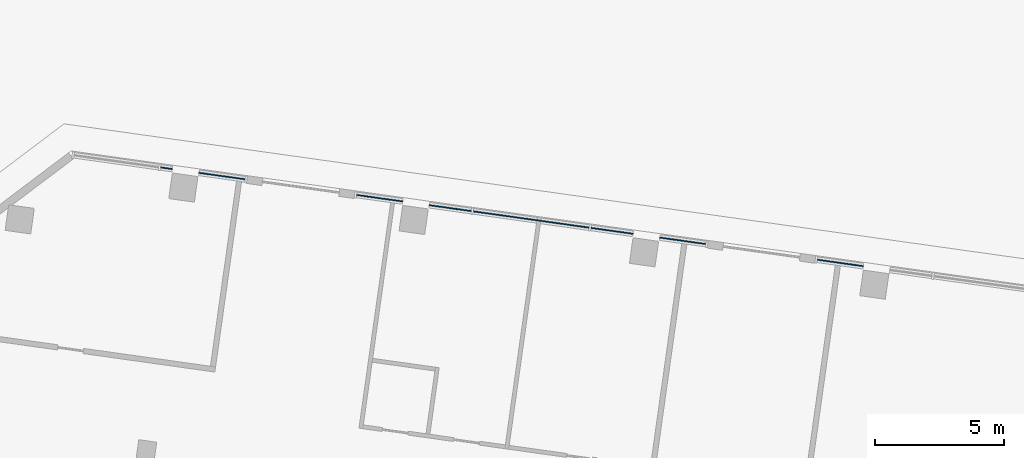
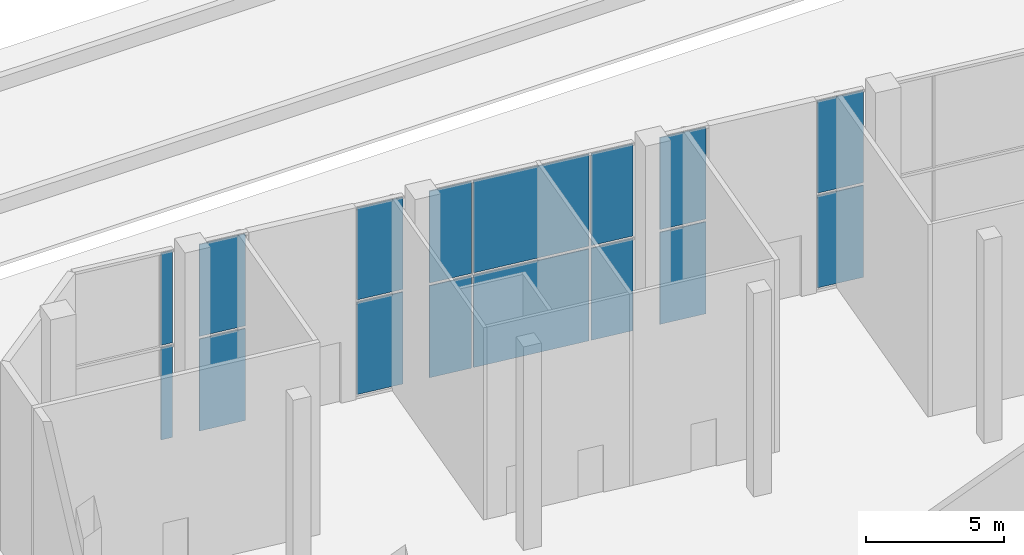
# One storey, part 9 of 34: 16 plates, 3 elements without a shape of their own.
"""IFC4 building model written with IfcOpenShell, lengths in metres."""

from ifc_helpers import new_model, si_unit, direction, frame, origin, origin_2d, place, context, subcontext, project, spatial, rectangle, extrude, material, layer, layer_set, type_object, element, aggregate, save


model = new_model("IFC4")

# Units and contexts
model_context = context("Model", 3, precision=1e-05, world=origin(), true_north=direction((0.0, 1.0)))
body_context = subcontext(model_context, "Body", "Model", "MODEL_VIEW")
ifc_project = project(units=[si_unit("LENGTHUNIT", "METRE"), si_unit("AREAUNIT", "SQUARE_METRE"), si_unit("VOLUMEUNIT", "CUBIC_METRE"), si_unit("PLANEANGLEUNIT", "RADIAN"), si_unit("MASSUNIT", "GRAM", prefix="KILO")], contexts=[model_context])

# Site, building, storey
site_placement = place(None, origin())
site = spatial("IfcSite", under=ifc_project, at=site_placement, CompositionType="ELEMENT")
building_placement = place(site_placement, origin())
building = spatial("IfcBuilding", under=site, at=building_placement, Name="Mirante Cascada Hotel Towers", CompositionType="ELEMENT")
storey_placement = place(building_placement, origin())
storey = spatial("IfcBuildingStorey", under=building, at=storey_placement, Name="L00", CompositionType="ELEMENT", Elevation=0.0)

# Curtain wall, plates
ifc_material_1 = material(Name="Aluminium mullion and transom frame with clear laminated glass", Category="aluminium")
curtain_wall_type = type_object("IfcCurtainWallType", Name="Podium curtain wall ECW3", PredefinedType="NOTDEFINED", material=ifc_material_1)
curtain_wall_1_placement = place(storey_placement, origin())
curtain_wall_1 = element("IfcCurtainWall", 1, at=curtain_wall_1_placement, inside=storey, type_object=curtain_wall_type, Name="Podium curtain wall L00 run front.1", PredefinedType="NOTDEFINED")
ifc_material_2 = material(Name="Clear laminated glass", Category="glass")
ifc_layer = layer(ifc_material_2, 0.04)
ifc_layer_set = layer_set([ifc_layer], Name="ECW3 glass panel 40")
plate_type = type_object("IfcPlateType", Name="ECW3 glass panel 40", PredefinedType="CURTAIN_PANEL", material=ifc_layer_set)
plate_1_placement = place(storey_placement, frame((-90.5056, 25.5388, 0.12), z_axis=(0.0, 0.0, 1.0), x_axis=(0.9902681, -0.1391731, 0.0)))
plate_1 = element("IfcPlate", 2, at=plate_1_placement, type_object=plate_type, Name="ECW3 panel 2", PredefinedType="CURTAIN_PANEL", context=body_context, shape_type="SweptSolid", body=[
    extrude(rectangle(XDim=0.4589, YDim=0.04, at=origin_2d()), origin(), (0.0, 0.0, 1.0), 4.07),
])
plate_2_placement = place(storey_placement, frame((-90.5056, 25.5388, 4.31), z_axis=(0.0, 0.0, 1.0), x_axis=(0.9902681, -0.1391731, 0.0)))
plate_2 = element("IfcPlate", 3, at=plate_2_placement, type_object=plate_type, Name="ECW3 panel 2", PredefinedType="CURTAIN_PANEL", context=body_context, shape_type="SweptSolid", body=[
    extrude(rectangle(XDim=0.4589, YDim=0.04, at=origin_2d()), origin(), (0.0, 0.0, 1.0), 4.07),
])
plate_3_placement = place(storey_placement, frame((-88.3573, 25.2368, 0.12), z_axis=(0.0, 0.0, 1.0), x_axis=(0.9902681, -0.1391731, 0.0)))
plate_3 = element("IfcPlate", 4, at=plate_3_placement, type_object=plate_type, Name="ECW3 panel 2", PredefinedType="CURTAIN_PANEL", context=body_context, shape_type="SweptSolid", body=[
    extrude(rectangle(XDim=1.8, YDim=0.04, at=origin_2d()), origin(), (0.0, 0.0, 1.0), 4.07),
])
plate_4_placement = place(storey_placement, frame((-88.3573, 25.2368, 4.31), z_axis=(0.0, 0.0, 1.0), x_axis=(0.9902681, -0.1391731, 0.0)))
plate_4 = element("IfcPlate", 5, at=plate_4_placement, type_object=plate_type, Name="ECW3 panel 2", PredefinedType="CURTAIN_PANEL", context=body_context, shape_type="SweptSolid", body=[
    extrude(rectangle(XDim=1.8, YDim=0.04, at=origin_2d()), origin(), (0.0, 0.0, 1.0), 4.07),
])
aggregate(curtain_wall_1, [plate_1, plate_2, plate_3, plate_4])

curtain_wall_2_placement = place(storey_placement, origin())
curtain_wall_2 = element("IfcCurtainWall", 6, at=curtain_wall_2_placement, inside=storey, type_object=curtain_wall_type, Name="Podium curtain wall L00 run front.3", PredefinedType="NOTDEFINED")
plate_5_placement = place(storey_placement, frame((-82.2572, 24.3795, 0.12), z_axis=(0.0, 0.0, 1.0), x_axis=(0.9902681, -0.1391731, 0.0)))
plate_5 = element("IfcPlate", 7, at=plate_5_placement, type_object=plate_type, Name="ECW3 panel 1", PredefinedType="CURTAIN_PANEL", context=body_context, shape_type="SweptSolid", body=[
    extrude(rectangle(XDim=1.8, YDim=0.04, at=origin_2d()), origin(), (0.0, 0.0, 1.0), 4.07),
])
plate_6_placement = place(storey_placement, frame((-82.2572, 24.3795, 4.31), z_axis=(0.0, 0.0, 1.0), x_axis=(0.9902681, -0.1391731, 0.0)))
plate_6 = element("IfcPlate", 8, at=plate_6_placement, type_object=plate_type, Name="ECW3 panel 1", PredefinedType="CURTAIN_PANEL", context=body_context, shape_type="SweptSolid", body=[
    extrude(rectangle(XDim=1.8, YDim=0.04, at=origin_2d()), origin(), (0.0, 0.0, 1.0), 4.07),
])
plate_7_placement = place(storey_placement, frame((-79.5241, 23.9954, 0.12), z_axis=(0.0, 0.0, 1.0), x_axis=(0.9902681, -0.1391731, 0.0)))
plate_7 = element("IfcPlate", 9, at=plate_7_placement, type_object=plate_type, Name="ECW3 panel 1", PredefinedType="CURTAIN_PANEL", context=body_context, shape_type="SweptSolid", body=[
    extrude(rectangle(XDim=1.64, YDim=0.04, at=origin_2d()), origin(), (0.0, 0.0, 1.0), 4.07),
])
plate_8_placement = place(storey_placement, frame((-79.5241, 23.9954, 4.31), z_axis=(0.0, 0.0, 1.0), x_axis=(0.9902681, -0.1391731, 0.0)))
plate_8 = element("IfcPlate", 10, at=plate_8_placement, type_object=plate_type, Name="ECW3 panel 1", PredefinedType="CURTAIN_PANEL", context=body_context, shape_type="SweptSolid", body=[
    extrude(rectangle(XDim=1.64, YDim=0.04, at=origin_2d()), origin(), (0.0, 0.0, 1.0), 4.07),
])
plate_9_placement = place(storey_placement, frame((-76.3949, 23.5556, 0.12), z_axis=(0.0, 0.0, 1.0), x_axis=(0.9902681, -0.1391731, 0.0)))
plate_9 = element("IfcPlate", 11, at=plate_9_placement, type_object=plate_type, Name="ECW3 panel 2", PredefinedType="CURTAIN_PANEL", context=body_context, shape_type="SweptSolid", body=[
    extrude(rectangle(XDim=4.52, YDim=0.04, at=origin_2d()), origin(), (0.0, 0.0, 1.0), 4.07),
])
plate_10_placement = place(storey_placement, frame((-76.3949, 23.5556, 4.31), z_axis=(0.0, 0.0, 1.0), x_axis=(0.9902681, -0.1391731, 0.0)))
plate_10 = element("IfcPlate", 12, at=plate_10_placement, type_object=plate_type, Name="ECW3 panel 2", PredefinedType="CURTAIN_PANEL", context=body_context, shape_type="SweptSolid", body=[
    extrude(rectangle(XDim=4.52, YDim=0.04, at=origin_2d()), origin(), (0.0, 0.0, 1.0), 4.07),
])
plate_11_placement = place(storey_placement, frame((-73.2656, 23.1158, 0.12), z_axis=(0.0, 0.0, 1.0), x_axis=(0.9902681, -0.1391731, 0.0)))
plate_11 = element("IfcPlate", 13, at=plate_11_placement, type_object=plate_type, Name="ECW3 panel 3", PredefinedType="CURTAIN_PANEL", context=body_context, shape_type="SweptSolid", body=[
    extrude(rectangle(XDim=1.64, YDim=0.04, at=origin_2d()), origin(), (0.0, 0.0, 1.0), 4.07),
])
plate_12_placement = place(storey_placement, frame((-73.2656, 23.1158, 4.31), z_axis=(0.0, 0.0, 1.0), x_axis=(0.9902681, -0.1391731, 0.0)))
plate_12 = element("IfcPlate", 14, at=plate_12_placement, type_object=plate_type, Name="ECW3 panel 3", PredefinedType="CURTAIN_PANEL", context=body_context, shape_type="SweptSolid", body=[
    extrude(rectangle(XDim=1.64, YDim=0.04, at=origin_2d()), origin(), (0.0, 0.0, 1.0), 4.07),
])
plate_13_placement = place(storey_placement, frame((-70.5325, 22.7317, 0.12), z_axis=(0.0, 0.0, 1.0), x_axis=(0.9902681, -0.1391731, 0.0)))
plate_13 = element("IfcPlate", 15, at=plate_13_placement, type_object=plate_type, Name="ECW3 panel 3", PredefinedType="CURTAIN_PANEL", context=body_context, shape_type="SweptSolid", body=[
    extrude(rectangle(XDim=1.8, YDim=0.04, at=origin_2d()), origin(), (0.0, 0.0, 1.0), 4.07),
])
plate_14_placement = place(storey_placement, frame((-70.5325, 22.7317, 4.31), z_axis=(0.0, 0.0, 1.0), x_axis=(0.9902681, -0.1391731, 0.0)))
plate_14 = element("IfcPlate", 16, at=plate_14_placement, type_object=plate_type, Name="ECW3 panel 3", PredefinedType="CURTAIN_PANEL", context=body_context, shape_type="SweptSolid", body=[
    extrude(rectangle(XDim=1.8, YDim=0.04, at=origin_2d()), origin(), (0.0, 0.0, 1.0), 4.07),
])
aggregate(curtain_wall_2, [plate_5, plate_6, plate_7, plate_8, plate_9, plate_10, plate_11, plate_12, plate_13, plate_14])

curtain_wall_3_placement = place(storey_placement, origin())
curtain_wall_3 = element("IfcCurtainWall", 17, at=curtain_wall_3_placement, inside=storey, type_object=curtain_wall_type, Name="Podium curtain wall L00 run front.5", PredefinedType="NOTDEFINED")
plate_15_placement = place(storey_placement, frame((-64.4324, 21.8744, 0.12), z_axis=(0.0, 0.0, 1.0), x_axis=(0.9902681, -0.1391731, 0.0)))
plate_15 = element("IfcPlate", 18, at=plate_15_placement, type_object=plate_type, Name="ECW3 panel 1", PredefinedType="CURTAIN_PANEL", context=body_context, shape_type="SweptSolid", body=[
    extrude(rectangle(XDim=1.8, YDim=0.04, at=origin_2d()), origin(), (0.0, 0.0, 1.0), 4.07),
])
plate_16_placement = place(storey_placement, frame((-64.4324, 21.8744, 4.31), z_axis=(0.0, 0.0, 1.0), x_axis=(0.9902681, -0.1391731, 0.0)))
plate_16 = element("IfcPlate", 19, at=plate_16_placement, type_object=plate_type, Name="ECW3 panel 1", PredefinedType="CURTAIN_PANEL", context=body_context, shape_type="SweptSolid", body=[
    extrude(rectangle(XDim=1.8, YDim=0.04, at=origin_2d()), origin(), (0.0, 0.0, 1.0), 4.07),
])
aggregate(curtain_wall_3, [plate_15, plate_16])

save(model, "model.ifc")
